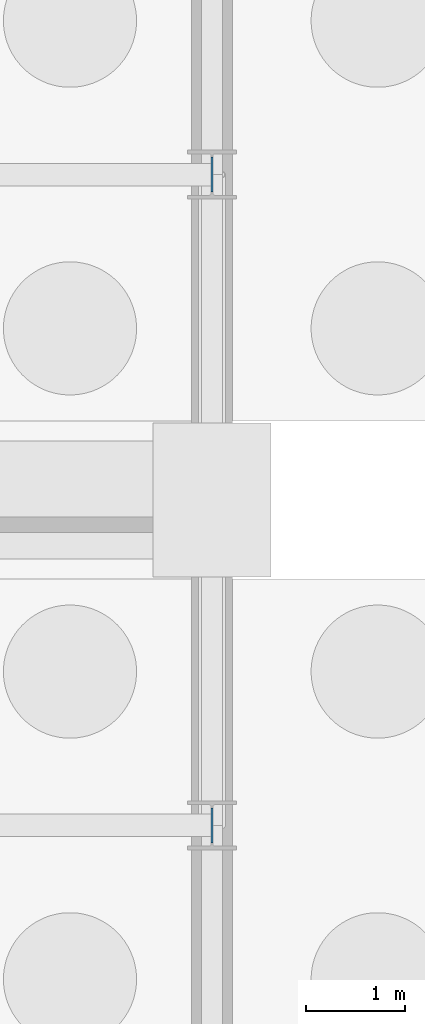
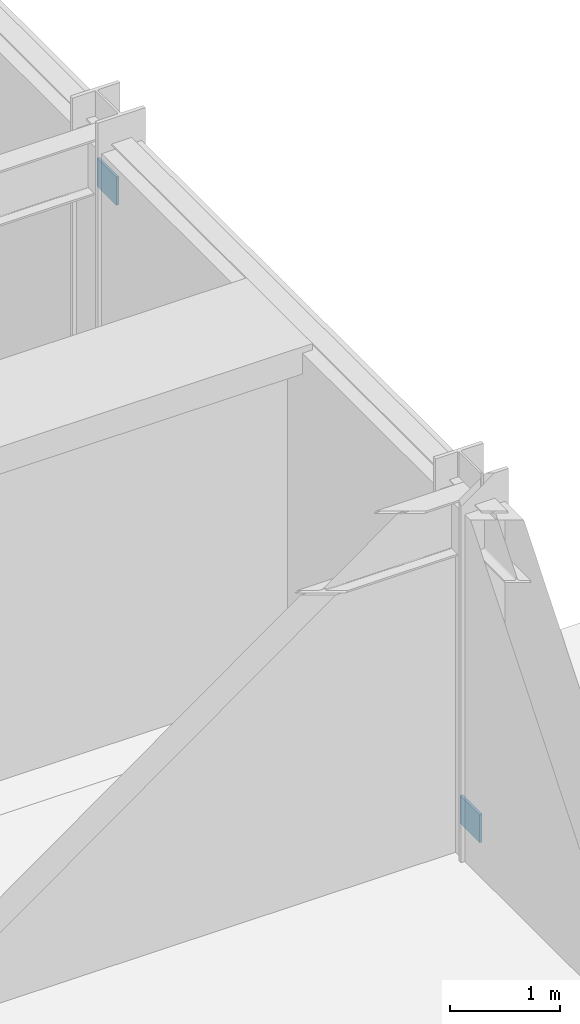
# One storey, part 41 of 58: 2 plates.
"""IFC4 building model written with IfcOpenShell, lengths in metres."""

from ifc_helpers import new_model, si_unit, direction, frame, origin, origin_2d, place, context, subcontext, project, spatial, rectangle, extrude, material, layer, layer_set, type_object, element, save


model = new_model("IFC4")

# Units and contexts
model_context = context("Model", 3, precision=1e-05, world=origin(), true_north=direction((0.0, 1.0)))
body_context = subcontext(model_context, "Body", "Model", "MODEL_VIEW")
ifc_project = project(units=[si_unit("LENGTHUNIT", "METRE"), si_unit("AREAUNIT", "SQUARE_METRE"), si_unit("VOLUMEUNIT", "CUBIC_METRE"), si_unit("PLANEANGLEUNIT", "RADIAN"), si_unit("MASSUNIT", "GRAM", prefix="KILO")], contexts=[model_context])

# Site, building, storey
site_placement = place(None, origin())
site = spatial("IfcSite", under=ifc_project, at=site_placement, CompositionType="ELEMENT")
building_placement = place(site_placement, origin())
building = spatial("IfcBuilding", under=site, at=building_placement, Name="Karori Crest Natural Sciences Institute", CompositionType="ELEMENT")
storey_placement = place(building_placement, frame((0.0, 0.0, -4.199951171875)))
storey = spatial("IfcBuildingStorey", under=building, at=storey_placement, Name="B1", CompositionType="ELEMENT", Elevation=-4.199951171875)

# Plates
ifc_material = material(Name="Structural steel AS/NZS 3679.1 Grade 350", Category="steel")
ifc_layer = layer(ifc_material, 0.02490234375, Name="Structural steel AS/NZS 3679.1 Grade 350")
ifc_layer_set = layer_set([ifc_layer], Name="Structural steel AS/NZS 3679.1 Grade 350")
plate_type = type_object("IfcPlateType", Name="PLT-06", PredefinedType="SHEET", material=ifc_layer_set)
for number, where, z_axis, x_axis, name in (
    (1, (162.199951171875, 7.39990234375, 0.093505859375), (0.0, 0.0, 1.0), (0.0, 1.0, 0.0), "Brace gusset plate EP-0386"),
    (2, (162.199951171875, 14.0, 3.161376953125), (0.0, 0.0, 1.0), (0.0, 1.0, 0.0), "Brace gusset plate EP-0387"),
):
    element("IfcPlate", number, at=place(storey_placement, frame(where, z_axis=z_axis, x_axis=x_axis)), inside=storey, type_object=plate_type, Name=name, PredefinedType="SHEET", context=body_context, shape_type="SweptSolid", body=[
        extrude(rectangle(XDim=0.35302734375, YDim=0.02490234375, at=origin_2d()), origin(), (0.0, 0.0, 1.0), 0.31298828125),
    ])

save(model, "model.ifc")
